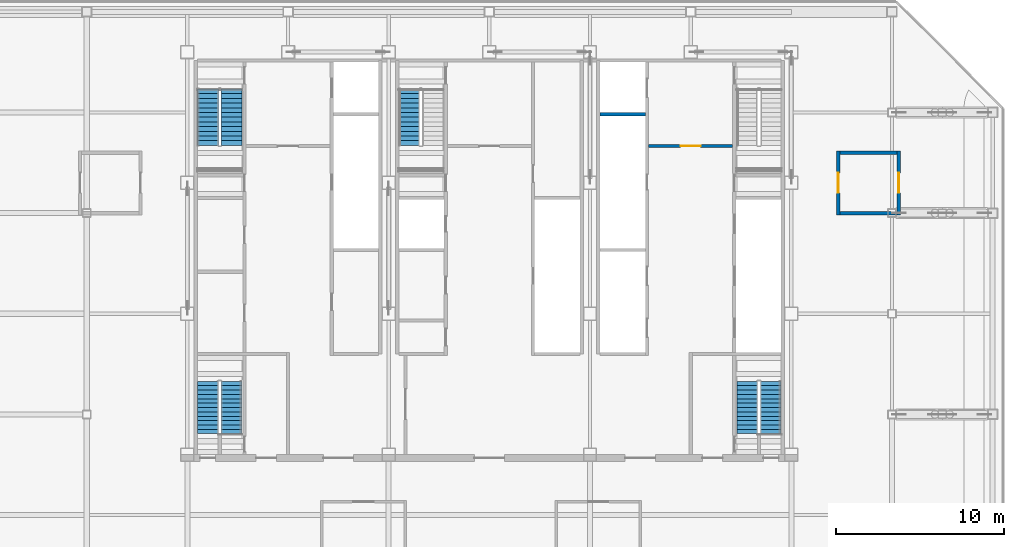
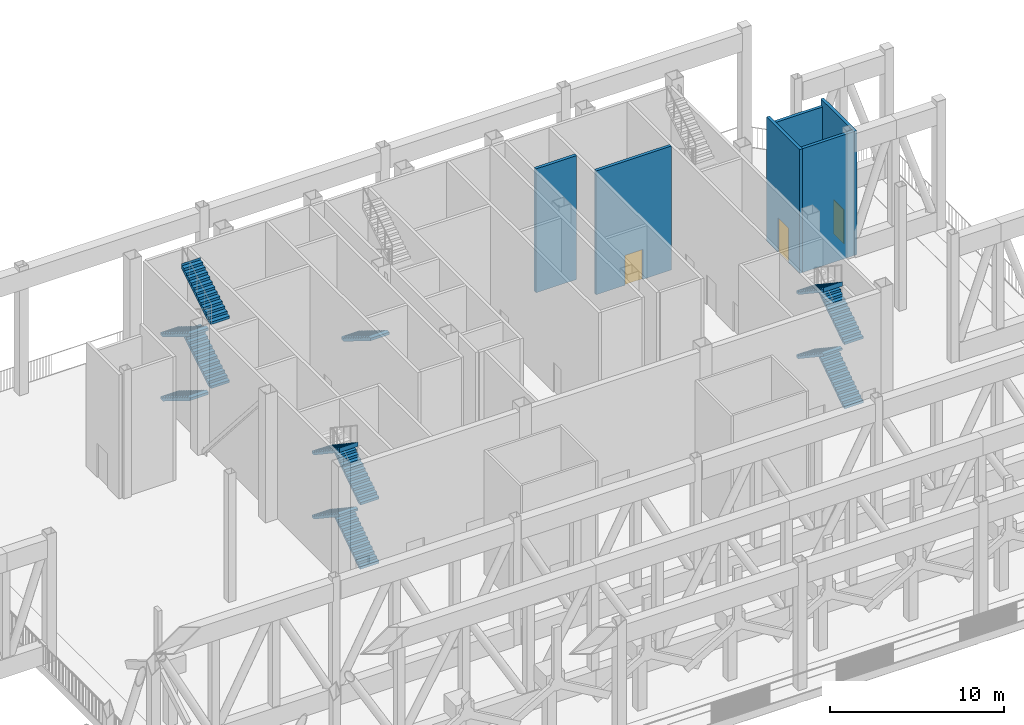
# One storey, part 9 of 22: 13 stair flights, 6 walls, 3 doors, 3 openings, 4 elements without a shape of their own.
"""IFC4 building model written with IfcOpenShell, lengths in metres."""

from ifc_helpers import new_model, si_unit, direction, frame, frame_2d, origin, place, context, subcontext, project, spatial, polyline, rectangle, outline, extrude, material, layer, layer_set, type_object, element, fill, aggregate, save


model = new_model("IFC4")

# Units and contexts
model_context = context("Model", 3, precision=1e-05, world=origin(), true_north=direction((0.0, 1.0)))
body_context = subcontext(model_context, "Body", "Model", "MODEL_VIEW")
ifc_project = project(units=[si_unit("LENGTHUNIT", "METRE"), si_unit("AREAUNIT", "SQUARE_METRE"), si_unit("VOLUMEUNIT", "CUBIC_METRE"), si_unit("PLANEANGLEUNIT", "RADIAN"), si_unit("MASSUNIT", "GRAM", prefix="KILO")], contexts=[model_context])

# Site, building, storey
site_placement = place(None, origin())
site = spatial("IfcSite", under=ifc_project, at=site_placement, CompositionType="ELEMENT")
building_placement = place(site_placement, origin())
building = spatial("IfcBuilding", under=site, at=building_placement, Name="Sorahane Residences", CompositionType="ELEMENT")
storey_placement = place(building_placement, frame((0.0, 0.0, 281.800048828125)))
storey = spatial("IfcBuildingStorey", under=building, at=storey_placement, Name="L67", CompositionType="ELEMENT", Elevation=281.800048828125)

# Wall, opening, door
ifc_material_1 = material(Name="White painted blockwork C20 wall", Category="masonry")
ifc_layer_1 = layer(ifc_material_1, 0.199951171875)
ifc_layer_set_1 = layer_set([ifc_layer_1], Name="Fire wall painted white 200 EI 120")
wall_type_1 = type_object("IfcWallType", Name="Fire wall painted white 200 EI 120", PredefinedType="SOLIDWALL", material=ifc_layer_set_1)
wall_1_placement = place(storey_placement, frame((44.800048828125, 35.89990234375, 0.0), z_axis=(0.0, 0.0, 1.0), x_axis=(0.0, 1.0, 0.0)))
wall_1 = element("IfcWall", 1, at=wall_1_placement, inside=storey, type_object=wall_type_1, Name="L67 fire wall", PredefinedType="SOLIDWALL", context=body_context, shape_type="SweptSolid", body=[
    extrude(rectangle(XDim=3.800048828125, YDim=0.199951171875, at=frame_2d((1.89990234375, 0.0))), origin(), (0.0, 0.0, 1.0), 8.699951171875),
])
opening_1_placement = place(wall_1_placement, frame((1.300048828125, 0.0, 0.0)))
opening_1 = element("IfcOpeningElement", 2, at=opening_1_placement, cuts=wall_1, Name="Opening L67-02", PredefinedType="OPENING", context=body_context, shape_type="SweptSolid", body=[
    extrude(rectangle(XDim=1.199951171875, YDim=2.39990234375, at=frame_2d((0.60009765625, 1.199951171875))), frame((0.0, 0.10986328125, 0.0), z_axis=(0.0, -1.0, 0.0), x_axis=(1.0, 0.0, 0.0)), (0.0, 0.0, 1.0), 0.219970703125),
])
ifc_material_2 = material(Name="Steel", Category="steel")
door_type_1 = type_object("IfcDoorType", Name="Lobby door 1200x2400 FD60", OperationType="NOTDEFINED", PredefinedType="DOOR", material=ifc_material_2)
door_1_placement = place(opening_1_placement, origin())
door_1 = element("IfcDoor", 3, at=door_1_placement, inside=storey, type_object=door_type_1, Name="Lobby door L67-02", OperationType="SINGLE_SWING_RIGHT", OverallHeight=2.39990234375, OverallWidth=1.199951171875, PredefinedType="DOOR", context=body_context, shape_type="SweptSolid", body=[
    extrude(rectangle(XDim=1.199951171875, YDim=2.39990234375, at=frame_2d((0.60009765625, 1.199951171875))), frame((0.0, 0.02490234375, 0.0), z_axis=(0.0, -1.0, 0.0), x_axis=(1.0, 0.0, 0.0)), (0.0, 0.0, 1.0), 0.050048828125),
])
fill(opening_1, door_1)

wall_2_placement = place(storey_placement, frame((48.39990234375, 35.89990234375, 0.0), z_axis=(0.0, 0.0, 1.0), x_axis=(0.0, 1.0, 0.0)))
wall_2 = element("IfcWall", 4, at=wall_2_placement, inside=storey, type_object=wall_type_1, Name="L67 fire wall", PredefinedType="SOLIDWALL", context=body_context, shape_type="SweptSolid", body=[
    extrude(rectangle(XDim=3.800048828125, YDim=0.199951171875, at=frame_2d((1.89990234375, 0.0))), origin(), (0.0, 0.0, 1.0), 8.699951171875),
])
opening_2_placement = place(wall_2_placement, frame((1.300048828125, 0.0, 0.0)))
opening_2 = element("IfcOpeningElement", 5, at=opening_2_placement, cuts=wall_2, Name="Opening L67-01", PredefinedType="OPENING", context=body_context, shape_type="SweptSolid", body=[
    extrude(rectangle(XDim=1.199951171875, YDim=2.39990234375, at=frame_2d((0.60009765625, 1.199951171875))), frame((0.0, 0.10986328125, 0.0), z_axis=(0.0, -1.0, 0.0), x_axis=(1.0, 0.0, 0.0)), (0.0, 0.0, 1.0), 0.219970703125),
])
door_2_placement = place(opening_2_placement, origin())
door_2 = element("IfcDoor", 6, at=door_2_placement, inside=storey, type_object=door_type_1, Name="Lobby door L67-01", OperationType="SINGLE_SWING_LEFT", OverallHeight=2.39990234375, OverallWidth=1.199951171875, PredefinedType="DOOR", context=body_context, shape_type="SweptSolid", body=[
    extrude(rectangle(XDim=1.199951171875, YDim=2.39990234375, at=frame_2d((0.60009765625, 1.199951171875))), frame((0.0, 0.02490234375, 0.0), z_axis=(0.0, -1.0, 0.0), x_axis=(1.0, 0.0, 0.0)), (0.0, 0.0, 1.0), 0.050048828125),
])
fill(opening_2, door_2)

# Walls
wall_3_placement = place(storey_placement, frame((44.89990234375, 36.0, 0.0), z_axis=(0.0, 0.0, 1.0), x_axis=(1.0, 0.0, 0.0)))
element("IfcWall", 7, at=wall_3_placement, inside=storey, type_object=wall_type_1, Name="L67 fire wall", PredefinedType="SOLIDWALL", context=body_context, shape_type="SweptSolid", body=[
    extrude(rectangle(XDim=3.400146484375, YDim=0.199951171875, at=frame_2d((1.7001953125, 0.0))), origin(), (0.0, 0.0, 1.0), 8.699951171875),
])
wall_4_placement = place(storey_placement, frame((44.89990234375, 39.60009765625, 0.0), z_axis=(0.0, 0.0, 1.0), x_axis=(1.0, 0.0, 0.0)))
element("IfcWall", 8, at=wall_4_placement, inside=storey, type_object=wall_type_1, Name="L67 fire wall", PredefinedType="SOLIDWALL", context=body_context, shape_type="SweptSolid", body=[
    extrude(rectangle(XDim=3.400146484375, YDim=0.199951171875, at=frame_2d((1.7001953125, 0.0))), origin(), (0.0, 0.0, 1.0), 8.25),
])

# Wall, opening, door
ifc_material_3 = material(Name="White painted Concrete C30", Category="concrete")
ifc_layer_2 = layer(ifc_material_3, 0.199951171875)
ifc_layer_set_2 = layer_set([ifc_layer_2], Name="Front room wall painted white 200 EI 120")
wall_type_2 = type_object("IfcWallType", Name="Front room wall painted white 200 EI 120", PredefinedType="PARTITIONING", material=ifc_layer_set_2)
wall_5_placement = place(storey_placement, frame((33.5, 40.0, 0.0), z_axis=(0.0, 0.0, 1.0), x_axis=(1.0, 0.0, 0.0)))
wall_5 = element("IfcWall", 9, at=wall_5_placement, inside=storey, type_object=wall_type_2, Name="L67 front room wall", PredefinedType="PARTITIONING", context=body_context, shape_type="SweptSolid", body=[
    extrude(rectangle(XDim=5.0, YDim=0.199951171875, at=frame_2d((2.5, 0.0))), origin(), (0.0, 0.0, 1.0), 8.699951171875),
])
opening_3_placement = place(wall_5_placement, frame((1.89990234375, 0.0, 0.0)))
opening_3 = element("IfcOpeningElement", 10, at=opening_3_placement, cuts=wall_5, Name="Opening L67-C09", PredefinedType="OPENING", context=body_context, shape_type="SweptSolid", body=[
    extrude(rectangle(XDim=1.199951171875, YDim=2.10009765625, at=frame_2d((0.60009765625, 1.050048828125))), frame((0.0, 0.10986328125, 0.0), z_axis=(0.0, -1.0, 0.0), x_axis=(1.0, 0.0, 0.0)), (0.0, 0.0, 1.0), 0.219970703125),
])
ifc_material_4 = material(Name="Steel", Category="steel")
door_type_2 = type_object("IfcDoorType", Name="Front room door 1200x2100 FD120", OperationType="NOTDEFINED", PredefinedType="DOOR", material=ifc_material_4)
door_3_placement = place(opening_3_placement, frame((1.199951171875, 0.0, 0.0), z_axis=(0.0, 0.0, 1.0), x_axis=(-1.0, 0.0, 0.0)))
door_3 = element("IfcDoor", 11, at=door_3_placement, inside=storey, type_object=door_type_2, Name="Front room door Firefighting lobby FF2 front room L67", OperationType="DOUBLE_DOOR_SINGLE_SWING", OverallHeight=2.10009765625, OverallWidth=1.199951171875, PredefinedType="DOOR", context=body_context, shape_type="SweptSolid", body=[
    extrude(rectangle(XDim=1.199951171875, YDim=2.10009765625, at=frame_2d((0.60009765625, 1.050048828125))), frame((0.0, 0.02490234375, 0.0), z_axis=(0.0, -1.0, 0.0), x_axis=(1.0, 0.0, 0.0)), (0.0, 0.0, 1.0), 0.050048828125),
])
fill(opening_3, door_3)

# Wall
ifc_material_5 = material(Name="White painted Concrete C30", Category="concrete")
ifc_layer_3 = layer(ifc_material_5, 0.199951171875)
ifc_layer_set_3 = layer_set([ifc_layer_3], Name="Lift shaft wall painted white 200 EI 120")
wall_type_3 = type_object("IfcWallType", Name="Lift shaft wall painted white 200 EI 120", PredefinedType="SOLIDWALL", material=ifc_layer_set_3)
wall_6_placement = place(storey_placement, frame((30.60009765625, 41.89990234375, 0.0), z_axis=(0.0, 0.0, 1.0), x_axis=(1.0, 0.0, 0.0)))
element("IfcWall", 12, at=wall_6_placement, inside=storey, type_object=wall_type_3, Name="L67 lift shaft wall", PredefinedType="SOLIDWALL", context=body_context, shape_type="SweptSolid", body=[
    extrude(rectangle(XDim=2.699951171875, YDim=0.199951171875, at=frame_2d((1.35009765625, 0.0))), origin(), (0.0, 0.0, 1.0), 8.699951171875),
])

# Stair, stair flights
ifc_material_6 = material(Name="Concrete C40", Category="concrete")
stair_type = type_object("IfcStairType", Name="Dog-leg stair 1250 Concrete C40", PredefinedType="HALF_TURN_STAIR", material=ifc_material_6)
stair_1_placement = place(storey_placement, origin())
stair_1 = element("IfcStair", 13, at=stair_1_placement, inside=storey, type_object=stair_type, Name="L67 Stair S1", PredefinedType="HALF_TURN_STAIR")
ifc_material_7 = material(Name="Concrete C40", Category="concrete")
stair_flight_type = type_object("IfcStairFlightType", Name="Stair flight 1250 Concrete C40", PredefinedType="STRAIGHT", material=ifc_material_7)
stair_flight_1_placement = place(storey_placement, frame((7.22509765625, 43.39990234375, 0.0), z_axis=(0.0, 0.0, 1.0), x_axis=(0.0, -1.0, 0.0)))
stair_flight_1 = element("IfcStairFlight", 14, at=stair_flight_1_placement, type_object=stair_flight_type, Name="S1 flight 1", NumberOfRisers=13, NumberOfTreads=12, PredefinedType="STRAIGHT", RiserHeight=0.173076923, TreadLength=0.28, context=body_context, shape_type="SweptSolid", body=[
    extrude(outline(polyline([(-0.00146484375, 0.0), (-0.00146484375, 0.173095703125), (0.0, 0.173095703125), (0.280029296875, 0.173095703125), (0.280029296875, 0.34619140625), (0.56005859375, 0.34619140625), (0.56005859375, 0.519287109375), (0.840087890625, 0.519287109375), (0.840087890625, 0.6923828125), (1.1201171875, 0.6923828125), (1.1201171875, 0.865478515625), (1.39990234375, 0.865478515625), (1.39990234375, 1.03857421875), (1.679931640625, 1.03857421875), (1.679931640625, 1.21142578125), (1.9599609375, 1.21142578125), (1.9599609375, 1.384521484375), (2.239990234375, 1.384521484375), (2.239990234375, 1.5576171875), (2.52001953125, 1.5576171875), (2.52001953125, 1.730712890625), (2.800048828125, 1.730712890625), (2.800048828125, 1.90380859375), (3.080078125, 1.90380859375), (3.080078125, 2.076904296875), (3.360107421875, 2.076904296875), (3.360107421875, 2.25), (3.360107421875, 1.900634765625), (3.140380859375, 1.764892578125), (2.920654296875, 1.629150390625), (2.701171875, 1.493408203125), (2.4814453125, 1.357666015625), (2.26171875, 1.221923828125), (2.042236328125, 1.086181640625), (1.822509765625, 0.950439453125), (1.60302734375, 0.814697265625), (1.38330078125, 0.6787109375), (1.16357421875, 0.54296875), (0.944091796875, 0.4072265625), (0.724365234375, 0.271484375), (0.504638671875, 0.1357421875), (0.28515625, 0.0), (-0.00146484375, 0.0)])), frame((0.0, 0.625, 0.0), z_axis=(0.0, -1.0, 0.0), x_axis=(1.0, 0.0, 0.0)), (0.0, 0.0, 1.0), 1.25),
])
stair_flight_2_placement = place(storey_placement, frame((8.625, 40.0400390625, 2.25), z_axis=(0.0, 0.0, 1.0), x_axis=(0.0, 1.0, 0.0)))
stair_flight_2 = element("IfcStairFlight", 15, at=stair_flight_2_placement, type_object=stair_flight_type, Name="S1 flight 2", NumberOfRisers=13, NumberOfTreads=12, PredefinedType="STRAIGHT", RiserHeight=0.173076923, TreadLength=0.28, context=body_context, shape_type="SweptSolid", body=[
    extrude(outline(polyline([(0.0, 0.0), (0.0, 0.173095703125), (0.280029296875, 0.173095703125), (0.280029296875, 0.34619140625), (0.56005859375, 0.34619140625), (0.56005859375, 0.519287109375), (0.840087890625, 0.519287109375), (0.840087890625, 0.6923828125), (1.1201171875, 0.6923828125), (1.1201171875, 0.865478515625), (1.39990234375, 0.865478515625), (1.39990234375, 1.03857421875), (1.679931640625, 1.03857421875), (1.679931640625, 1.21142578125), (1.9599609375, 1.21142578125), (1.9599609375, 1.384521484375), (2.239990234375, 1.384521484375), (2.239990234375, 1.5576171875), (2.52001953125, 1.5576171875), (2.52001953125, 1.730712890625), (2.800048828125, 1.730712890625), (2.800048828125, 1.90380859375), (3.080078125, 1.90380859375), (3.080078125, 2.076904296875), (3.360107421875, 2.076904296875), (3.360107421875, 2.25), (3.360107421875, 1.900634765625), (3.12353515625, 1.75439453125), (2.886962890625, 1.6083984375), (2.650390625, 1.462158203125), (2.413818359375, 1.31591796875), (2.17724609375, 1.169677734375), (1.94091796875, 1.0234375), (1.704345703125, 0.877197265625), (1.4677734375, 0.73095703125), (1.231201171875, 0.584716796875), (0.99462890625, 0.438720703125), (0.758056640625, 0.29248046875), (0.521728515625, 0.146240234375), (0.28515625, 0.0), (0.0, 0.0)])), frame((0.0, 0.625, 0.0), z_axis=(0.0, -1.0, 0.0), x_axis=(1.0, 0.0, 0.0)), (0.0, 0.0, 1.0), 1.25),
])
stair_flight_3_placement = place(storey_placement, frame((7.22509765625, 43.39990234375, 4.5), z_axis=(0.0, 0.0, 1.0), x_axis=(0.0, -1.0, 0.0)))
stair_flight_3 = element("IfcStairFlight", 16, at=stair_flight_3_placement, type_object=stair_flight_type, Name="S1 flight 3", NumberOfRisers=13, NumberOfTreads=12, PredefinedType="STRAIGHT", RiserHeight=0.173076923, TreadLength=0.28, context=body_context, shape_type="SweptSolid", body=[
    extrude(outline(polyline([(0.0, 0.0), (0.0, 0.173095703125), (0.280029296875, 0.173095703125), (0.280029296875, 0.34619140625), (0.56005859375, 0.34619140625), (0.56005859375, 0.519287109375), (0.840087890625, 0.519287109375), (0.840087890625, 0.6923828125), (1.1201171875, 0.6923828125), (1.1201171875, 0.865478515625), (1.39990234375, 0.865478515625), (1.39990234375, 1.03857421875), (1.679931640625, 1.03857421875), (1.679931640625, 1.21142578125), (1.9599609375, 1.21142578125), (1.9599609375, 1.384521484375), (2.239990234375, 1.384521484375), (2.239990234375, 1.5576171875), (2.52001953125, 1.5576171875), (2.52001953125, 1.730712890625), (2.800048828125, 1.730712890625), (2.800048828125, 1.90380859375), (3.080078125, 1.90380859375), (3.080078125, 2.076904296875), (3.360107421875, 2.076904296875), (3.360107421875, 2.25), (3.360107421875, 1.900634765625), (3.12353515625, 1.75439453125), (2.886962890625, 1.6083984375), (2.650390625, 1.462158203125), (2.413818359375, 1.31591796875), (2.17724609375, 1.169677734375), (1.94091796875, 1.0234375), (1.704345703125, 0.877197265625), (1.4677734375, 0.73095703125), (1.231201171875, 0.584716796875), (0.99462890625, 0.438720703125), (0.758056640625, 0.29248046875), (0.521728515625, 0.146240234375), (0.28515625, 0.0), (0.0, 0.0)])), frame((0.0, 0.625, 0.0), z_axis=(0.0, -1.0, 0.0), x_axis=(1.0, 0.0, 0.0)), (0.0, 0.0, 1.0), 1.25),
])
stair_flight_4_placement = place(storey_placement, frame((8.625, 40.0400390625, 6.75), z_axis=(0.0, 0.0, 1.0), x_axis=(0.0, 1.0, 0.0)))
stair_flight_4 = element("IfcStairFlight", 17, at=stair_flight_4_placement, type_object=stair_flight_type, Name="S1 flight 4", NumberOfRisers=13, NumberOfTreads=12, PredefinedType="STRAIGHT", RiserHeight=0.173076923, TreadLength=0.28, context=body_context, shape_type="SweptSolid", body=[
    extrude(outline(polyline([(0.0, 0.0), (0.0, 0.173095703125), (0.280029296875, 0.173095703125), (0.280029296875, 0.34619140625), (0.56005859375, 0.34619140625), (0.56005859375, 0.519287109375), (0.840087890625, 0.519287109375), (0.840087890625, 0.6923828125), (1.1201171875, 0.6923828125), (1.1201171875, 0.865478515625), (1.39990234375, 0.865478515625), (1.39990234375, 1.03857421875), (1.679931640625, 1.03857421875), (1.679931640625, 1.21142578125), (1.9599609375, 1.21142578125), (1.9599609375, 1.384521484375), (2.239990234375, 1.384521484375), (2.239990234375, 1.5576171875), (2.52001953125, 1.5576171875), (2.52001953125, 1.730712890625), (2.800048828125, 1.730712890625), (2.800048828125, 1.90380859375), (3.080078125, 1.90380859375), (3.080078125, 2.076904296875), (3.360107421875, 2.076904296875), (3.360107421875, 2.25), (3.361572265625, 2.25), (3.361572265625, 1.900634765625), (3.141845703125, 1.764892578125), (2.922119140625, 1.629150390625), (2.702392578125, 1.493408203125), (2.482421875, 1.357666015625), (2.2626953125, 1.221923828125), (2.04296875, 1.086181640625), (1.8232421875, 0.950439453125), (1.603515625, 0.814697265625), (1.3837890625, 0.6787109375), (1.1640625, 0.54296875), (0.9443359375, 0.4072265625), (0.724609375, 0.271484375), (0.5048828125, 0.1357421875), (0.28515625, 0.0), (0.0, 0.0)])), frame((0.0, 0.625, 0.0), z_axis=(0.0, -1.0, 0.0), x_axis=(1.0, 0.0, 0.0)), (0.0, 0.0, 1.0), 1.25),
])
aggregate(stair_1, [stair_flight_1, stair_flight_2, stair_flight_3, stair_flight_4])

# Stair, stair flight
stair_2_placement = place(storey_placement, origin())
stair_2 = element("IfcStair", 18, at=stair_2_placement, inside=storey, type_object=stair_type, Name="L67 Stair S3", PredefinedType="HALF_TURN_STAIR")
stair_flight_5_placement = place(storey_placement, frame((19.22509765625, 43.39990234375, 0.0), z_axis=(0.0, 0.0, 1.0), x_axis=(0.0, -1.0, 0.0)))
stair_flight_5 = element("IfcStairFlight", 19, at=stair_flight_5_placement, type_object=stair_flight_type, Name="S3 flight 1", NumberOfRisers=13, NumberOfTreads=12, PredefinedType="STRAIGHT", RiserHeight=0.173076923, TreadLength=0.28, context=body_context, shape_type="SweptSolid", body=[
    extrude(outline(polyline([(-0.00146484375, 0.0), (-0.00146484375, 0.173095703125), (0.0, 0.173095703125), (0.280029296875, 0.173095703125), (0.280029296875, 0.34619140625), (0.56005859375, 0.34619140625), (0.56005859375, 0.519287109375), (0.840087890625, 0.519287109375), (0.840087890625, 0.6923828125), (1.1201171875, 0.6923828125), (1.1201171875, 0.865478515625), (1.39990234375, 0.865478515625), (1.39990234375, 1.03857421875), (1.679931640625, 1.03857421875), (1.679931640625, 1.21142578125), (1.9599609375, 1.21142578125), (1.9599609375, 1.384521484375), (2.239990234375, 1.384521484375), (2.239990234375, 1.5576171875), (2.52001953125, 1.5576171875), (2.52001953125, 1.730712890625), (2.800048828125, 1.730712890625), (2.800048828125, 1.90380859375), (3.080078125, 1.90380859375), (3.080078125, 2.076904296875), (3.360107421875, 2.076904296875), (3.360107421875, 2.25), (3.360107421875, 1.900634765625), (3.140380859375, 1.764892578125), (2.920654296875, 1.629150390625), (2.701171875, 1.493408203125), (2.4814453125, 1.357666015625), (2.26171875, 1.221923828125), (2.042236328125, 1.086181640625), (1.822509765625, 0.950439453125), (1.60302734375, 0.814697265625), (1.38330078125, 0.6787109375), (1.16357421875, 0.54296875), (0.944091796875, 0.4072265625), (0.724365234375, 0.271484375), (0.504638671875, 0.1357421875), (0.28515625, 0.0), (-0.00146484375, 0.0)])), frame((0.0, 0.625, 0.0), z_axis=(0.0, -1.0, 0.0), x_axis=(1.0, 0.0, 0.0)), (0.0, 0.0, 1.0), 1.25),
])
aggregate(stair_2, [stair_flight_5])

# Stair, stair flights
stair_3_placement = place(storey_placement, origin())
stair_3 = element("IfcStair", 20, at=stair_3_placement, inside=storey, type_object=stair_type, Name="L67 Stair S4", PredefinedType="HALF_TURN_STAIR")
stair_flight_6_placement = place(storey_placement, frame((8.625, 22.85009765625, 0.0), z_axis=(0.0, 0.0, 1.0), x_axis=(0.0, 1.0, 0.0)))
stair_flight_6 = element("IfcStairFlight", 21, at=stair_flight_6_placement, type_object=stair_flight_type, Name="S4 flight 1", NumberOfRisers=13, NumberOfTreads=12, PredefinedType="STRAIGHT", RiserHeight=0.173076923, TreadLength=0.26, context=body_context, shape_type="SweptSolid", body=[
    extrude(outline(polyline([(-0.00146484375, 0.0), (-0.00146484375, 0.173095703125), (0.0, 0.173095703125), (0.260009765625, 0.173095703125), (0.260009765625, 0.34619140625), (0.52001953125, 0.34619140625), (0.52001953125, 0.519287109375), (0.780029296875, 0.519287109375), (0.780029296875, 0.6923828125), (1.0400390625, 0.6923828125), (1.0400390625, 0.865478515625), (1.300048828125, 0.865478515625), (1.300048828125, 1.03857421875), (1.56005859375, 1.03857421875), (1.56005859375, 1.21142578125), (1.820068359375, 1.21142578125), (1.820068359375, 1.384521484375), (2.080078125, 1.384521484375), (2.080078125, 1.5576171875), (2.340087890625, 1.5576171875), (2.340087890625, 1.730712890625), (2.60009765625, 1.730712890625), (2.60009765625, 1.90380859375), (2.860107421875, 1.90380859375), (2.860107421875, 2.076904296875), (3.1201171875, 2.076904296875), (3.1201171875, 2.25), (3.1201171875, 1.9326171875), (2.91259765625, 1.794677734375), (2.705322265625, 1.656494140625), (2.497802734375, 1.5185546875), (2.29052734375, 1.38037109375), (2.083251953125, 1.242431640625), (1.875732421875, 1.104248046875), (1.66845703125, 0.96630859375), (1.4609375, 0.828369140625), (1.253662109375, 0.690185546875), (1.046142578125, 0.55224609375), (0.8388671875, 0.4140625), (0.631591796875, 0.276123046875), (0.424072265625, 0.137939453125), (0.216796875, 0.0), (-0.00146484375, 0.0)])), frame((0.0, 0.625, 0.0), z_axis=(0.0, -1.0, 0.0), x_axis=(1.0, 0.0, 0.0)), (0.0, 0.0, 1.0), 1.25),
])
stair_flight_7_placement = place(storey_placement, frame((7.22509765625, 25.969970703125, 2.25), z_axis=(0.0, 0.0, 1.0), x_axis=(0.0, -1.0, 0.0)))
stair_flight_7 = element("IfcStairFlight", 22, at=stair_flight_7_placement, type_object=stair_flight_type, Name="S4 flight 2", NumberOfRisers=13, NumberOfTreads=12, PredefinedType="STRAIGHT", RiserHeight=0.173076923, TreadLength=0.26, context=body_context, shape_type="SweptSolid", body=[
    extrude(outline(polyline([(0.0, 0.0), (0.0, 0.173095703125), (0.260009765625, 0.173095703125), (0.260009765625, 0.34619140625), (0.52001953125, 0.34619140625), (0.52001953125, 0.519287109375), (0.780029296875, 0.519287109375), (0.780029296875, 0.6923828125), (1.0400390625, 0.6923828125), (1.0400390625, 0.865478515625), (1.300048828125, 0.865478515625), (1.300048828125, 1.03857421875), (1.56005859375, 1.03857421875), (1.56005859375, 1.21142578125), (1.820068359375, 1.21142578125), (1.820068359375, 1.384521484375), (2.080078125, 1.384521484375), (2.080078125, 1.5576171875), (2.340087890625, 1.5576171875), (2.340087890625, 1.730712890625), (2.60009765625, 1.730712890625), (2.60009765625, 1.90380859375), (2.860107421875, 1.90380859375), (2.860107421875, 2.076904296875), (3.1201171875, 2.076904296875), (3.1201171875, 2.25), (3.1201171875, 1.9326171875), (2.896728515625, 1.783935546875), (2.67333984375, 1.63525390625), (2.449951171875, 1.486572265625), (2.226806640625, 1.337890625), (2.00341796875, 1.189208984375), (1.780029296875, 1.04052734375), (1.556640625, 0.89208984375), (1.33349609375, 0.743408203125), (1.110107421875, 0.5947265625), (0.88671875, 0.446044921875), (0.663330078125, 0.29736328125), (0.440185546875, 0.148681640625), (0.216796875, 0.0), (0.0, 0.0)])), frame((0.0, 0.625, 0.0), z_axis=(0.0, -1.0, 0.0), x_axis=(1.0, 0.0, 0.0)), (0.0, 0.0, 1.0), 1.25),
])
stair_flight_8_placement = place(storey_placement, frame((8.625, 22.85009765625, 4.5), z_axis=(0.0, 0.0, 1.0), x_axis=(0.0, 1.0, 0.0)))
stair_flight_8 = element("IfcStairFlight", 23, at=stair_flight_8_placement, type_object=stair_flight_type, Name="S4 flight 3", NumberOfRisers=13, NumberOfTreads=12, PredefinedType="STRAIGHT", RiserHeight=0.173076923, TreadLength=0.26, context=body_context, shape_type="SweptSolid", body=[
    extrude(outline(polyline([(0.0, 0.0), (0.0, 0.173095703125), (0.260009765625, 0.173095703125), (0.260009765625, 0.34619140625), (0.52001953125, 0.34619140625), (0.52001953125, 0.519287109375), (0.780029296875, 0.519287109375), (0.780029296875, 0.6923828125), (1.0400390625, 0.6923828125), (1.0400390625, 0.865478515625), (1.300048828125, 0.865478515625), (1.300048828125, 1.03857421875), (1.56005859375, 1.03857421875), (1.56005859375, 1.21142578125), (1.820068359375, 1.21142578125), (1.820068359375, 1.384521484375), (2.080078125, 1.384521484375), (2.080078125, 1.5576171875), (2.340087890625, 1.5576171875), (2.340087890625, 1.730712890625), (2.60009765625, 1.730712890625), (2.60009765625, 1.90380859375), (2.860107421875, 1.90380859375), (2.860107421875, 2.076904296875), (3.1201171875, 2.076904296875), (3.1201171875, 2.25), (3.1201171875, 1.9326171875), (2.896728515625, 1.783935546875), (2.67333984375, 1.63525390625), (2.449951171875, 1.486572265625), (2.226806640625, 1.337890625), (2.00341796875, 1.189208984375), (1.780029296875, 1.04052734375), (1.556640625, 0.89208984375), (1.33349609375, 0.743408203125), (1.110107421875, 0.5947265625), (0.88671875, 0.446044921875), (0.663330078125, 0.29736328125), (0.440185546875, 0.148681640625), (0.216796875, 0.0), (0.0, 0.0)])), frame((0.0, 0.625, 0.0), z_axis=(0.0, -1.0, 0.0), x_axis=(1.0, 0.0, 0.0)), (0.0, 0.0, 1.0), 1.25),
])
stair_flight_9_placement = place(storey_placement, frame((7.22509765625, 25.969970703125, 6.75), z_axis=(0.0, 0.0, 1.0), x_axis=(0.0, -1.0, 0.0)))
stair_flight_9 = element("IfcStairFlight", 24, at=stair_flight_9_placement, type_object=stair_flight_type, Name="S4 flight 4", NumberOfRisers=13, NumberOfTreads=12, PredefinedType="STRAIGHT", RiserHeight=0.173076923, TreadLength=0.26, context=body_context, shape_type="SweptSolid", body=[
    extrude(outline(polyline([(0.0, 0.0), (0.0, 0.173095703125), (0.260009765625, 0.173095703125), (0.260009765625, 0.34619140625), (0.52001953125, 0.34619140625), (0.52001953125, 0.519287109375), (0.780029296875, 0.519287109375), (0.780029296875, 0.6923828125), (1.0400390625, 0.6923828125), (1.0400390625, 0.865478515625), (1.300048828125, 0.865478515625), (1.300048828125, 1.03857421875), (1.56005859375, 1.03857421875), (1.56005859375, 1.21142578125), (1.820068359375, 1.21142578125), (1.820068359375, 1.384521484375), (2.080078125, 1.384521484375), (2.080078125, 1.5576171875), (2.340087890625, 1.5576171875), (2.340087890625, 1.730712890625), (2.60009765625, 1.730712890625), (2.60009765625, 1.90380859375), (2.860107421875, 1.90380859375), (2.860107421875, 2.076904296875), (3.1201171875, 2.076904296875), (3.1201171875, 2.25), (3.12158203125, 2.25), (3.12158203125, 1.9326171875), (2.9140625, 1.794677734375), (2.70654296875, 1.656494140625), (2.4990234375, 1.5185546875), (2.29150390625, 1.38037109375), (2.083984375, 1.242431640625), (1.876708984375, 1.104248046875), (1.669189453125, 0.96630859375), (1.461669921875, 0.828369140625), (1.254150390625, 0.690185546875), (1.046630859375, 0.55224609375), (0.839111328125, 0.4140625), (0.6318359375, 0.276123046875), (0.42431640625, 0.137939453125), (0.216796875, 0.0), (0.0, 0.0)])), frame((0.0, 0.625, 0.0), z_axis=(0.0, -1.0, 0.0), x_axis=(1.0, 0.0, 0.0)), (0.0, 0.0, 1.0), 1.25),
])
aggregate(stair_3, [stair_flight_6, stair_flight_7, stair_flight_8, stair_flight_9])

stair_4_placement = place(storey_placement, origin())
stair_4 = element("IfcStair", 25, at=stair_4_placement, inside=storey, type_object=stair_type, Name="L67 Stair S5", PredefinedType="HALF_TURN_STAIR")
stair_flight_10_placement = place(storey_placement, frame((40.77490234375, 22.85009765625, 0.0), z_axis=(0.0, 0.0, 1.0), x_axis=(0.0, 1.0, 0.0)))
stair_flight_10 = element("IfcStairFlight", 26, at=stair_flight_10_placement, type_object=stair_flight_type, Name="S5 flight 1", NumberOfRisers=13, NumberOfTreads=12, PredefinedType="STRAIGHT", RiserHeight=0.173076923, TreadLength=0.26, context=body_context, shape_type="SweptSolid", body=[
    extrude(outline(polyline([(-0.00146484375, 0.0), (-0.00146484375, 0.173095703125), (0.0, 0.173095703125), (0.260009765625, 0.173095703125), (0.260009765625, 0.34619140625), (0.52001953125, 0.34619140625), (0.52001953125, 0.519287109375), (0.780029296875, 0.519287109375), (0.780029296875, 0.6923828125), (1.0400390625, 0.6923828125), (1.0400390625, 0.865478515625), (1.300048828125, 0.865478515625), (1.300048828125, 1.03857421875), (1.56005859375, 1.03857421875), (1.56005859375, 1.21142578125), (1.820068359375, 1.21142578125), (1.820068359375, 1.384521484375), (2.080078125, 1.384521484375), (2.080078125, 1.5576171875), (2.340087890625, 1.5576171875), (2.340087890625, 1.730712890625), (2.60009765625, 1.730712890625), (2.60009765625, 1.90380859375), (2.860107421875, 1.90380859375), (2.860107421875, 2.076904296875), (3.1201171875, 2.076904296875), (3.1201171875, 2.25), (3.1201171875, 1.9326171875), (2.91259765625, 1.794677734375), (2.705322265625, 1.656494140625), (2.497802734375, 1.5185546875), (2.29052734375, 1.38037109375), (2.083251953125, 1.242431640625), (1.875732421875, 1.104248046875), (1.66845703125, 0.96630859375), (1.4609375, 0.828369140625), (1.253662109375, 0.690185546875), (1.046142578125, 0.55224609375), (0.8388671875, 0.4140625), (0.631591796875, 0.276123046875), (0.424072265625, 0.137939453125), (0.216796875, 0.0), (-0.00146484375, 0.0)])), frame((0.0, 0.625, 0.0), z_axis=(0.0, -1.0, 0.0), x_axis=(1.0, 0.0, 0.0)), (0.0, 0.0, 1.0), 1.25),
])
stair_flight_11_placement = place(storey_placement, frame((39.375, 25.969970703125, 2.25), z_axis=(0.0, 0.0, 1.0), x_axis=(0.0, -1.0, 0.0)))
stair_flight_11 = element("IfcStairFlight", 27, at=stair_flight_11_placement, type_object=stair_flight_type, Name="S5 flight 2", NumberOfRisers=13, NumberOfTreads=12, PredefinedType="STRAIGHT", RiserHeight=0.173076923, TreadLength=0.26, context=body_context, shape_type="SweptSolid", body=[
    extrude(outline(polyline([(0.0, 0.0), (0.0, 0.173095703125), (0.260009765625, 0.173095703125), (0.260009765625, 0.34619140625), (0.52001953125, 0.34619140625), (0.52001953125, 0.519287109375), (0.780029296875, 0.519287109375), (0.780029296875, 0.6923828125), (1.0400390625, 0.6923828125), (1.0400390625, 0.865478515625), (1.300048828125, 0.865478515625), (1.300048828125, 1.03857421875), (1.56005859375, 1.03857421875), (1.56005859375, 1.21142578125), (1.820068359375, 1.21142578125), (1.820068359375, 1.384521484375), (2.080078125, 1.384521484375), (2.080078125, 1.5576171875), (2.340087890625, 1.5576171875), (2.340087890625, 1.730712890625), (2.60009765625, 1.730712890625), (2.60009765625, 1.90380859375), (2.860107421875, 1.90380859375), (2.860107421875, 2.076904296875), (3.1201171875, 2.076904296875), (3.1201171875, 2.25), (3.1201171875, 1.9326171875), (2.896728515625, 1.783935546875), (2.67333984375, 1.63525390625), (2.449951171875, 1.486572265625), (2.226806640625, 1.337890625), (2.00341796875, 1.189208984375), (1.780029296875, 1.04052734375), (1.556640625, 0.89208984375), (1.33349609375, 0.743408203125), (1.110107421875, 0.5947265625), (0.88671875, 0.446044921875), (0.663330078125, 0.29736328125), (0.440185546875, 0.148681640625), (0.216796875, 0.0), (0.0, 0.0)])), frame((0.0, 0.625, 0.0), z_axis=(0.0, -1.0, 0.0), x_axis=(1.0, 0.0, 0.0)), (0.0, 0.0, 1.0), 1.25),
])
stair_flight_12_placement = place(storey_placement, frame((40.77490234375, 22.85009765625, 4.5), z_axis=(0.0, 0.0, 1.0), x_axis=(0.0, 1.0, 0.0)))
stair_flight_12 = element("IfcStairFlight", 28, at=stair_flight_12_placement, type_object=stair_flight_type, Name="S5 flight 3", NumberOfRisers=13, NumberOfTreads=12, PredefinedType="STRAIGHT", RiserHeight=0.173076923, TreadLength=0.26, context=body_context, shape_type="SweptSolid", body=[
    extrude(outline(polyline([(0.0, 0.0), (0.0, 0.173095703125), (0.260009765625, 0.173095703125), (0.260009765625, 0.34619140625), (0.52001953125, 0.34619140625), (0.52001953125, 0.519287109375), (0.780029296875, 0.519287109375), (0.780029296875, 0.6923828125), (1.0400390625, 0.6923828125), (1.0400390625, 0.865478515625), (1.300048828125, 0.865478515625), (1.300048828125, 1.03857421875), (1.56005859375, 1.03857421875), (1.56005859375, 1.21142578125), (1.820068359375, 1.21142578125), (1.820068359375, 1.384521484375), (2.080078125, 1.384521484375), (2.080078125, 1.5576171875), (2.340087890625, 1.5576171875), (2.340087890625, 1.730712890625), (2.60009765625, 1.730712890625), (2.60009765625, 1.90380859375), (2.860107421875, 1.90380859375), (2.860107421875, 2.076904296875), (3.1201171875, 2.076904296875), (3.1201171875, 2.25), (3.1201171875, 1.9326171875), (2.896728515625, 1.783935546875), (2.67333984375, 1.63525390625), (2.449951171875, 1.486572265625), (2.226806640625, 1.337890625), (2.00341796875, 1.189208984375), (1.780029296875, 1.04052734375), (1.556640625, 0.89208984375), (1.33349609375, 0.743408203125), (1.110107421875, 0.5947265625), (0.88671875, 0.446044921875), (0.663330078125, 0.29736328125), (0.440185546875, 0.148681640625), (0.216796875, 0.0), (0.0, 0.0)])), frame((0.0, 0.625, 0.0), z_axis=(0.0, -1.0, 0.0), x_axis=(1.0, 0.0, 0.0)), (0.0, 0.0, 1.0), 1.25),
])
stair_flight_13_placement = place(storey_placement, frame((39.375, 25.969970703125, 6.75), z_axis=(0.0, 0.0, 1.0), x_axis=(0.0, -1.0, 0.0)))
stair_flight_13 = element("IfcStairFlight", 29, at=stair_flight_13_placement, type_object=stair_flight_type, Name="S5 flight 4", NumberOfRisers=13, NumberOfTreads=12, PredefinedType="STRAIGHT", RiserHeight=0.173076923, TreadLength=0.26, context=body_context, shape_type="SweptSolid", body=[
    extrude(outline(polyline([(0.0, 0.0), (0.0, 0.173095703125), (0.260009765625, 0.173095703125), (0.260009765625, 0.34619140625), (0.52001953125, 0.34619140625), (0.52001953125, 0.519287109375), (0.780029296875, 0.519287109375), (0.780029296875, 0.6923828125), (1.0400390625, 0.6923828125), (1.0400390625, 0.865478515625), (1.300048828125, 0.865478515625), (1.300048828125, 1.03857421875), (1.56005859375, 1.03857421875), (1.56005859375, 1.21142578125), (1.820068359375, 1.21142578125), (1.820068359375, 1.384521484375), (2.080078125, 1.384521484375), (2.080078125, 1.5576171875), (2.340087890625, 1.5576171875), (2.340087890625, 1.730712890625), (2.60009765625, 1.730712890625), (2.60009765625, 1.90380859375), (2.860107421875, 1.90380859375), (2.860107421875, 2.076904296875), (3.1201171875, 2.076904296875), (3.1201171875, 2.25), (3.12158203125, 2.25), (3.12158203125, 1.9326171875), (2.9140625, 1.794677734375), (2.70654296875, 1.656494140625), (2.4990234375, 1.5185546875), (2.29150390625, 1.38037109375), (2.083984375, 1.242431640625), (1.876708984375, 1.104248046875), (1.669189453125, 0.96630859375), (1.461669921875, 0.828369140625), (1.254150390625, 0.690185546875), (1.046630859375, 0.55224609375), (0.839111328125, 0.4140625), (0.6318359375, 0.276123046875), (0.42431640625, 0.137939453125), (0.216796875, 0.0), (0.0, 0.0)])), frame((0.0, 0.625, 0.0), z_axis=(0.0, -1.0, 0.0), x_axis=(1.0, 0.0, 0.0)), (0.0, 0.0, 1.0), 1.25),
])
aggregate(stair_4, [stair_flight_10, stair_flight_11, stair_flight_12, stair_flight_13])

save(model, "model.ifc")
